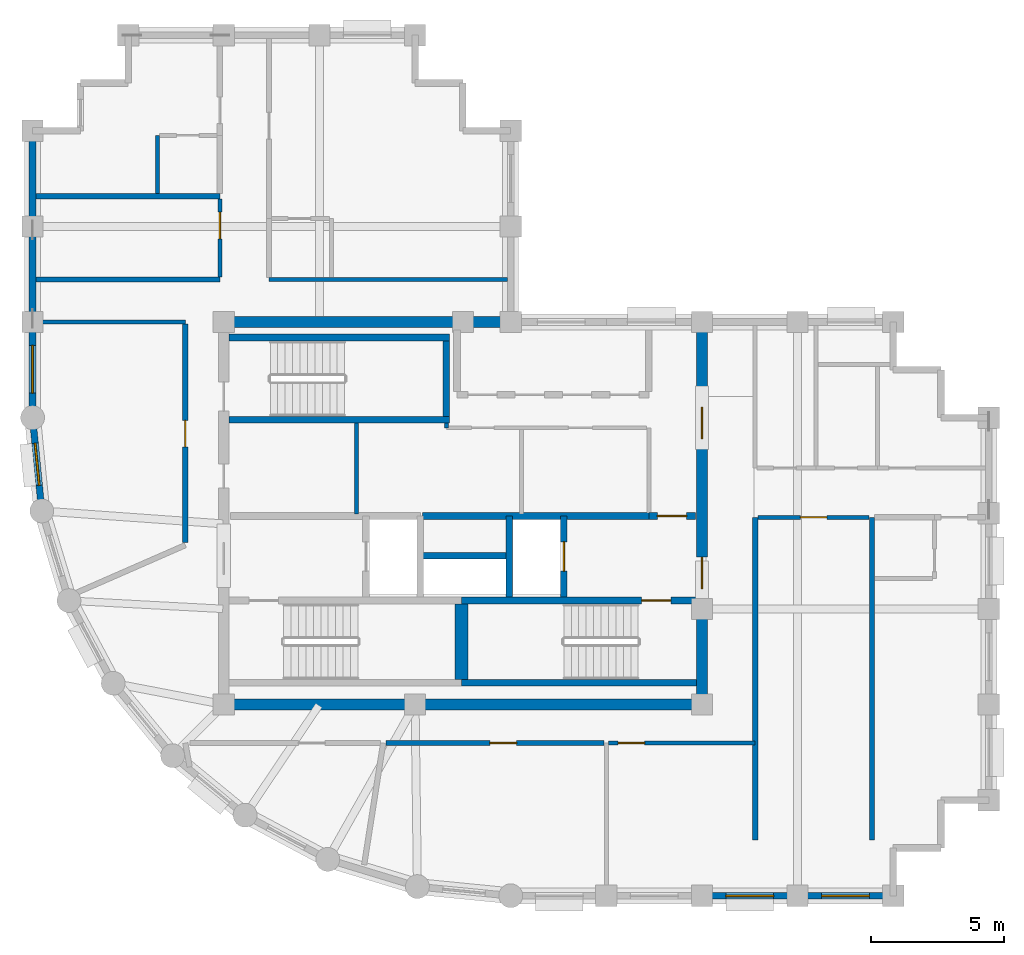
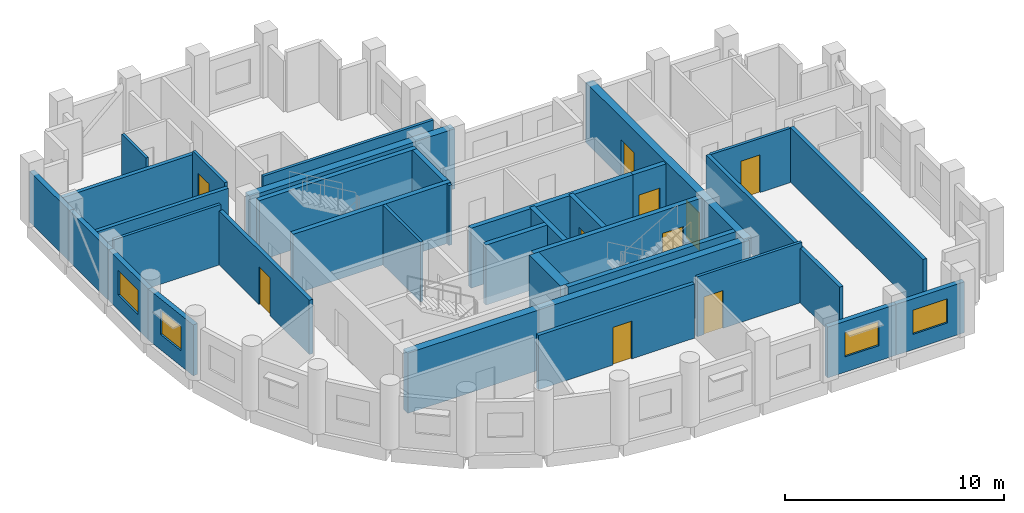
# One storey, part 3 of 7: 34 walls, 10 doors, 4 windows, 14 openings.
"""IFC4 building model written with IfcOpenShell, lengths in metres."""

from ifc_helpers import new_model, si_unit, direction, frame, frame_2d, origin, place, context, subcontext, project, spatial, rectangle, extrude, material, layer, layer_set, type_object, element, fill, save


model = new_model("IFC4")

# Units and contexts
model_context = context("Model", 3, precision=1e-05, world=origin(), true_north=direction((0.0, 1.0)))
body_context = subcontext(model_context, "Body", "Model", "MODEL_VIEW")
ifc_project = project(units=[si_unit("LENGTHUNIT", "METRE"), si_unit("AREAUNIT", "SQUARE_METRE"), si_unit("VOLUMEUNIT", "CUBIC_METRE"), si_unit("PLANEANGLEUNIT", "RADIAN"), si_unit("MASSUNIT", "GRAM", prefix="KILO")], contexts=[model_context])

# Site, building, storey
site_placement = place(None, origin())
site = spatial("IfcSite", under=ifc_project, at=site_placement, CompositionType="ELEMENT")
building_placement = place(site_placement, origin())
building = spatial("IfcBuilding", under=site, at=building_placement, Name="Solnavia Interchange Tower", CompositionType="ELEMENT")
storey_placement = place(building_placement, frame((0.0, 0.0, 235.39990234375)))
storey = spatial("IfcBuildingStorey", under=building, at=storey_placement, Name="L59", CompositionType="ELEMENT", Elevation=235.39990234375)

# Wall, opening, door
ifc_material_1 = material(Name="Gypsum Acoustic Twin-Stud & Mineral Wool", Category="gypsum")
ifc_layer_1 = layer(ifc_material_1, 0.199951171875)
ifc_layer_set_1 = layer_set([ifc_layer_1], Name="Gypsum Acoustic Twin-Stud & Mineral Wool")
wall_type_1 = type_object("IfcWallType", Name="Wall-ApartmentParty-200", PredefinedType="PARTITIONING", material=ifc_layer_set_1)
wall_1_placement = place(storey_placement, frame((12.949951171875, 16.904052734375, 0.0), z_axis=(0.0, 0.0, 1.0), x_axis=(0.0, 1.0, 0.0)))
wall_1 = element("IfcWall", 1, at=wall_1_placement, inside=storey, type_object=wall_type_1, Name="PTW-L59-12 Interior partition wall", PredefinedType="PARTITIONING", context=body_context, shape_type="SweptSolid", body=[
    extrude(rectangle(XDim=8.217041015625, YDim=0.199951171875, at=frame_2d((4.1083984375, 0.0))), origin(), (0.0, 0.0, 1.0), 3.02001953125),
])
opening_1_placement = place(wall_1_placement, frame((3.595947265625, 0.0, 0.0)))
opening_1 = element("IfcOpeningElement", 2, at=opening_1_placement, cuts=wall_1, Name="Opening DR-07", PredefinedType="OPENING", context=body_context, shape_type="SweptSolid", body=[
    extrude(rectangle(XDim=1.0, YDim=2.10009765625, at=frame_2d((0.5, 1.050048828125))), frame((0.0, 0.10986328125, 0.0), z_axis=(0.0, -1.0, 0.0), x_axis=(1.0, 0.0, 0.0)), (0.0, 0.0, 1.0), 0.219970703125),
])
ifc_material_2 = material(Name="Timber & Acoustic Glazed Office Door", Category="wood")
door_type_1 = type_object("IfcDoorType", Name="Door-Office-1000x2100", OperationType="SINGLE_SWING_RIGHT", PredefinedType="DOOR", material=ifc_material_2)
door_1_placement = place(opening_1_placement, origin())
door_1 = element("IfcDoor", 3, at=door_1_placement, inside=storey, type_object=door_type_1, Name="DR-L59-03 Interior room door", OperationType="SINGLE_SWING_LEFT", OverallHeight=2.10009765625, OverallWidth=1.0, PredefinedType="DOOR", context=body_context, shape_type="SweptSolid", body=[
    extrude(rectangle(XDim=1.0, YDim=2.10009765625, at=frame_2d((0.5, 1.050048828125))), frame((0.0, 0.02490234375, 0.0), z_axis=(0.0, -1.0, 0.0), x_axis=(1.0, 0.0, 0.0)), (0.0, 0.0, 1.0), 0.050048828125),
])
fill(opening_1, door_1)

wall_2_placement = place(storey_placement, frame((20.50390625, 9.35009765625, 0.0), z_axis=(0.0, 0.0, 1.0), x_axis=(1.0, 0.0, 0.0)))
wall_2 = element("IfcWall", 4, at=wall_2_placement, inside=storey, type_object=wall_type_1, Name="PTW-L59-15 Interior partition wall", PredefinedType="PARTITIONING", context=body_context, shape_type="SweptSolid", body=[
    extrude(rectangle(XDim=8.217041015625, YDim=0.199951171875, at=frame_2d((4.1083984375, 0.0))), origin(), (0.0, 0.0, 1.0), 3.02001953125),
])
opening_2_placement = place(wall_2_placement, frame((3.9140625, 0.0, 0.0)))
opening_2 = element("IfcOpeningElement", 5, at=opening_2_placement, cuts=wall_2, Name="Opening DR-07", PredefinedType="OPENING", context=body_context, shape_type="SweptSolid", body=[
    extrude(rectangle(XDim=1.0, YDim=2.10009765625, at=frame_2d((0.5, 1.050048828125))), frame((0.0, 0.10986328125, 0.0), z_axis=(0.0, -1.0, 0.0), x_axis=(1.0, 0.0, 0.0)), (0.0, 0.0, 1.0), 0.219970703125),
])
door_2_placement = place(opening_2_placement, origin())
door_2 = element("IfcDoor", 6, at=door_2_placement, inside=storey, type_object=door_type_1, Name="DR-L59-06 Interior room door", OperationType="SINGLE_SWING_RIGHT", OverallHeight=2.10009765625, OverallWidth=1.0, PredefinedType="DOOR", context=body_context, shape_type="SweptSolid", body=[
    extrude(rectangle(XDim=1.0, YDim=2.10009765625, at=frame_2d((0.5, 1.050048828125))), frame((0.0, 0.02490234375, 0.0), z_axis=(0.0, -1.0, 0.0), x_axis=(1.0, 0.0, 0.0)), (0.0, 0.0, 1.0), 0.050048828125),
])
fill(opening_2, door_2)

# Walls
for number, where, z_axis, x_axis, name in (
    (7, (34.39990234375, 5.699951171875, 0.0), (0.0, 0.0, 1.0), (0.0, 1.0, 0.0), "PTW-L59-17 Interior partition wall"),
    (8, (38.800048828125, 5.699951171875, 0.0), (0.0, 0.0, 1.0), (0.0, 1.0, 0.0), "PTW-L59-18 Interior partition wall"),
):
    element("IfcWall", number, at=place(storey_placement, frame(where, z_axis=z_axis, x_axis=x_axis)), inside=storey, type_object=wall_type_1, Name=name, PredefinedType="PARTITIONING", context=body_context, shape_type="SweptSolid", body=[
        extrude(rectangle(XDim=12.150146484375, YDim=0.199951171875, at=frame_2d((6.0751953125, 0.0))), origin(), (0.0, 0.0, 1.0), 3.030029296875),
    ])
for number, where, z_axis, x_axis, name in (
    (9, (7.3291015625, 26.800048828125, 0.0), (0.0, 0.0, 1.0), (1.0, 0.0, 0.0), "PTW-L59-25 Interior partition wall"),
    (10, (7.3291015625, 29.929931640625, 0.0), (0.0, 0.0, 1.0), (1.0, 0.0, 0.0), "PTW-L59-26 Interior partition wall"),
):
    element("IfcWall", number, at=place(storey_placement, frame(where, z_axis=z_axis, x_axis=x_axis)), inside=storey, type_object=wall_type_1, Name=name, PredefinedType="PARTITIONING", context=body_context, shape_type="SweptSolid", body=[
        extrude(rectangle(XDim=6.9208984375, YDim=0.199951171875, at=frame_2d((3.46044921875, 0.0))), origin(), (0.0, 0.0, 1.0), 2.830078125),
    ])

# Wall, opening, window
ifc_material_3 = material(Name="Concrete C40/50", Category="concrete")
ifc_layer_2 = layer(ifc_material_3, 0.25)
ifc_layer_set_2 = layer_set([ifc_layer_2], Name="Concrete C40/50")
wall_type_2 = type_object("IfcWallType", Name="Wall-ExtSpandrel-250", PredefinedType="STANDARD", material=ifc_layer_set_2)
wall_3_placement = place(storey_placement, frame((36.0, 3.60009765625, 0.0), z_axis=(0.0, 0.0, 1.0), x_axis=(-1.0, 0.0, 0.0)))
wall_3 = element("IfcWall", 11, at=wall_3_placement, inside=storey, type_object=wall_type_2, Name="EXW-L59-03 Exterior precast spandrel wall", PredefinedType="STANDARD", context=body_context, shape_type="SweptSolid", body=[
    extrude(rectangle(XDim=3.60009765625, YDim=0.25, at=frame_2d((1.800048828125, 0.0))), origin(), (0.0, 0.0, 1.0), 2.830078125),
])
opening_3_placement = place(wall_3_placement, frame((0.89990234375, 0.0, 0.85009765625)))
opening_3 = element("IfcOpeningElement", 12, at=opening_3_placement, cuts=wall_3, Name="Opening WIN-02", PredefinedType="OPENING", context=body_context, shape_type="SweptSolid", body=[
    extrude(rectangle(XDim=1.800048828125, YDim=1.35009765625, at=frame_2d((0.89990234375, 0.675048828125))), frame((0.0, 0.135009765625, 0.0), z_axis=(0.0, -1.0, 0.0), x_axis=(1.0, 0.0, 0.0)), (0.0, 0.0, 1.0), 0.27001953125),
])
ifc_material_4 = material(Name="Thermal-Break Aluminium & Low-E Glass", Category="aluminium")
window_type_1 = type_object("IfcWindowType", Name="Window-Ribbon-1800x1350", PartitioningType="SINGLE_PANEL", PredefinedType="WINDOW", material=ifc_material_4)
window_1_placement = place(opening_3_placement, origin())
window_1 = element("IfcWindow", 13, at=window_1_placement, inside=storey, type_object=window_type_1, Name="WIN-L59-03 Facade ribbon window", OverallHeight=1.35009765625, OverallWidth=1.800048828125, PartitioningType="SINGLE_PANEL", PredefinedType="WINDOW", context=body_context, shape_type="SweptSolid", body=[
    extrude(rectangle(XDim=1.800048828125, YDim=1.35009765625, at=frame_2d((0.89990234375, 0.675048828125))), frame((0.0, 0.030029296875, 0.0), z_axis=(0.0, -1.0, 0.0), x_axis=(1.0, 0.0, 0.0)), (0.0, 0.0, 1.0), 0.06005859375),
])
fill(opening_3, window_1)

wall_4_placement = place(storey_placement, frame((39.60009765625, 3.60009765625, 0.0), z_axis=(0.0, 0.0, 1.0), x_axis=(-1.0, 0.0, 0.0)))
wall_4 = element("IfcWall", 14, at=wall_4_placement, inside=storey, type_object=wall_type_2, Name="EXW-L59-04 Exterior precast spandrel wall", PredefinedType="STANDARD", context=body_context, shape_type="SweptSolid", body=[
    extrude(rectangle(XDim=3.60009765625, YDim=0.25, at=frame_2d((1.800048828125, 0.0))), origin(), (0.0, 0.0, 1.0), 2.830078125),
])
opening_4_placement = place(wall_4_placement, frame((0.89990234375, 0.0, 0.85009765625)))
opening_4 = element("IfcOpeningElement", 15, at=opening_4_placement, cuts=wall_4, Name="Opening WIN-02", PredefinedType="OPENING", context=body_context, shape_type="SweptSolid", body=[
    extrude(rectangle(XDim=1.800048828125, YDim=1.35009765625, at=frame_2d((0.89990234375, 0.675048828125))), frame((0.0, 0.135009765625, 0.0), z_axis=(0.0, -1.0, 0.0), x_axis=(1.0, 0.0, 0.0)), (0.0, 0.0, 1.0), 0.27001953125),
])
window_2_placement = place(opening_4_placement, origin())
window_2 = element("IfcWindow", 16, at=window_2_placement, inside=storey, type_object=window_type_1, Name="WIN-L59-04 Facade ribbon window", OverallHeight=1.35009765625, OverallWidth=1.800048828125, PartitioningType="SINGLE_PANEL", PredefinedType="WINDOW", context=body_context, shape_type="SweptSolid", body=[
    extrude(rectangle(XDim=1.800048828125, YDim=1.35009765625, at=frame_2d((0.89990234375, 0.675048828125))), frame((0.0, 0.030029296875, 0.0), z_axis=(0.0, -1.0, 0.0), x_axis=(1.0, 0.0, 0.0)), (0.0, 0.0, 1.0), 0.06005859375),
])
fill(opening_4, window_2)

# Walls
wall_5_placement = place(storey_placement, frame((7.199951171875, 28.800048828125, 0.0), z_axis=(0.0, 0.0, 1.0), x_axis=(0.0, 1.0, 0.0)))
element("IfcWall", 17, at=wall_5_placement, inside=storey, type_object=wall_type_2, Name="EXW-L59-34 Exterior precast spandrel wall", PredefinedType="STANDARD", context=body_context, shape_type="SweptSolid", body=[
    extrude(rectangle(XDim=3.599853515625, YDim=0.25, at=frame_2d((1.7998046875, 0.0))), origin(), (0.0, 0.0, 1.0), 2.830078125),
])
wall_6_placement = place(storey_placement, frame((7.199951171875, 25.199951171875, 0.0), z_axis=(0.0, 0.0, 1.0), x_axis=(0.0, 1.0, 0.0)))
element("IfcWall", 18, at=wall_6_placement, inside=storey, type_object=wall_type_2, Name="EXW-L59-35 Exterior precast spandrel wall", PredefinedType="STANDARD", context=body_context, shape_type="SweptSolid", body=[
    extrude(rectangle(XDim=3.60009765625, YDim=0.25, at=frame_2d((1.800048828125, 0.0))), origin(), (0.0, 0.0, 1.0), 2.830078125),
])

# Wall, opening, window
wall_7_placement = place(storey_placement, frame((7.199951171875, 21.60009765625, 0.0), z_axis=(0.0, 0.0, 1.0), x_axis=(0.0, 1.0, 0.0)))
wall_7 = element("IfcWall", 19, at=wall_7_placement, inside=storey, type_object=wall_type_2, Name="EXW-L59-36 Exterior precast spandrel wall", PredefinedType="STANDARD", context=body_context, shape_type="SweptSolid", body=[
    extrude(rectangle(XDim=3.599853515625, YDim=0.25, at=frame_2d((1.7998046875, 0.0))), origin(), (0.0, 0.0, 1.0), 2.830078125),
])
opening_5_placement = place(wall_7_placement, frame((0.925048828125, 0.0, 0.85009765625)))
opening_5 = element("IfcOpeningElement", 20, at=opening_5_placement, cuts=wall_7, Name="Opening WIN-02", PredefinedType="OPENING", context=body_context, shape_type="SweptSolid", body=[
    extrude(rectangle(XDim=1.800048828125, YDim=1.35009765625, at=frame_2d((0.89990234375, 0.675048828125))), frame((0.0, 0.135009765625, 0.0), z_axis=(0.0, -1.0, 0.0), x_axis=(1.0, 0.0, 0.0)), (0.0, 0.0, 1.0), 0.27001953125),
])
window_3_placement = place(opening_5_placement, origin())
window_3 = element("IfcWindow", 21, at=window_3_placement, inside=storey, type_object=window_type_1, Name="WIN-L59-36 Facade ribbon window", OverallHeight=1.35009765625, OverallWidth=1.800048828125, PartitioningType="SINGLE_PANEL", PredefinedType="WINDOW", context=body_context, shape_type="SweptSolid", body=[
    extrude(rectangle(XDim=1.800048828125, YDim=1.35009765625, at=frame_2d((0.89990234375, 0.675048828125))), frame((0.0, 0.030029296875, 0.0), z_axis=(0.0, -1.0, 0.0), x_axis=(1.0, 0.0, 0.0)), (0.0, 0.0, 1.0), 0.06005859375),
])
fill(opening_5, window_3)

wall_8_placement = place(storey_placement, frame((7.5458984375, 18.087890625, 0.0), z_axis=(0.0, 0.0, 1.0), x_axis=(-0.09802417461, 0.995184033831, 0.0)))
wall_8 = element("IfcWall", 22, at=wall_8_placement, inside=storey, type_object=wall_type_2, Name="EXW-L59-37 Exterior precast spandrel wall", PredefinedType="STANDARD", context=body_context, shape_type="SweptSolid", body=[
    extrude(rectangle(XDim=3.529296875, YDim=0.25, at=frame_2d((1.7646484375, 0.0))), origin(), (0.0, 0.0, 1.0), 2.830078125),
])
opening_6_placement = place(wall_8_placement, frame((0.965087890625, 0.0, 0.85009765625)))
opening_6 = element("IfcOpeningElement", 23, at=opening_6_placement, cuts=wall_8, Name="Opening WIN-04", PredefinedType="OPENING", context=body_context, shape_type="SweptSolid", body=[
    extrude(rectangle(XDim=1.60009765625, YDim=1.35009765625, at=frame_2d((0.800048828125, 0.675048828125))), frame((0.0, 0.135009765625, 0.0), z_axis=(0.0, -1.0, 0.0), x_axis=(1.0, 0.0, 0.0)), (0.0, 0.0, 1.0), 0.27001953125),
])
window_type_2 = type_object("IfcWindowType", Name="Window-Drum-1600x1350", PartitioningType="SINGLE_PANEL", PredefinedType="WINDOW", material=ifc_material_4)
window_4_placement = place(opening_6_placement, origin())
window_4 = element("IfcWindow", 24, at=window_4_placement, inside=storey, type_object=window_type_2, Name="WIN-L59-37 Facade ribbon window", OverallHeight=1.35009765625, OverallWidth=1.60009765625, PartitioningType="SINGLE_PANEL", PredefinedType="WINDOW", context=body_context, shape_type="SweptSolid", body=[
    extrude(rectangle(XDim=1.60009765625, YDim=1.35009765625, at=frame_2d((0.800048828125, 0.675048828125))), frame((0.0, 0.030029296875, 0.0), z_axis=(0.0, -1.0, 0.0), x_axis=(1.0, 0.0, 0.0)), (0.0, 0.0, 1.0), 0.06005859375),
])
fill(opening_6, window_4)

# Walls
ifc_material_5 = material(Name="Gypsum Plasterboard & Steel Stud", Category="steel")
ifc_layer_3 = layer(ifc_material_5, 0.14990234375)
ifc_layer_set_3 = layer_set([ifc_layer_3], Name="Gypsum Plasterboard & Steel Stud")
wall_type_3 = type_object("IfcWallType", Name="Wall-Partition-150", PredefinedType="PARTITIONING", material=ifc_layer_set_3)
wall_9_placement = place(storey_placement, frame((22.77490234375, 21.219970703125, 0.0), z_axis=(0.0, 0.0, 1.0), x_axis=(0.0, 1.0, 0.0)))
element("IfcWall", 25, at=wall_9_placement, inside=storey, type_object=wall_type_3, Name="CSW-L59-ST-TIE Core shaft wall", PredefinedType="PARTITIONING", context=body_context, shape_type="SweptSolid", body=[
    extrude(rectangle(XDim=0.175048828125, YDim=0.14990234375, at=frame_2d((0.08740234375, 0.0))), origin(), (0.0, 0.0, 1.0), 3.335205078125),
])
wall_10_placement = place(storey_placement, frame((19.39990234375, 17.97998046875, 0.0), z_axis=(0.0, 0.0, 1.0), x_axis=(0.0, 1.0, 0.0)))
element("IfcWall", 26, at=wall_10_placement, inside=storey, type_object=wall_type_3, Name="CSW-L59-M1 Core shaft wall", PredefinedType="PARTITIONING", context=body_context, shape_type="SweptSolid", body=[
    extrude(rectangle(XDim=3.419921875, YDim=0.14990234375, at=frame_2d((1.7099609375, 0.0))), origin(), (0.0, 0.0, 1.0), 3.335205078125),
])
wall_11_placement = place(storey_placement, frame((7.3291015625, 25.199951171875, 0.0), z_axis=(0.0, 0.0, 1.0), x_axis=(1.0, 0.0, 0.0)))
element("IfcWall", 27, at=wall_11_placement, inside=storey, type_object=wall_type_3, Name="PTW-L59-07 Interior partition wall", PredefinedType="PARTITIONING", context=body_context, shape_type="SweptSolid", body=[
    extrude(rectangle(XDim=5.620849609375, YDim=0.14990234375, at=frame_2d((2.810546875, 0.0))), origin(), (0.0, 0.0, 1.0), 3.335205078125),
])

# Wall, opening, door
wall_12_placement = place(storey_placement, frame((28.87890625, 9.35009765625, 0.0), z_axis=(0.0, 0.0, 1.0), x_axis=(1.0, 0.0, 0.0)))
wall_12 = element("IfcWall", 28, at=wall_12_placement, inside=storey, type_object=wall_type_3, Name="PTW-L59-16 Interior partition wall", PredefinedType="PARTITIONING", context=body_context, shape_type="SweptSolid", body=[
    extrude(rectangle(XDim=5.52099609375, YDim=0.14990234375, at=frame_2d((2.760498046875, 0.0))), origin(), (0.0, 0.0, 1.0), 3.335205078125),
])
opening_7_placement = place(wall_12_placement, frame((0.360107421875, 0.0, 0.0)))
opening_7 = element("IfcOpeningElement", 29, at=opening_7_placement, cuts=wall_12, Name="Opening DR-07", PredefinedType="OPENING", context=body_context, shape_type="SweptSolid", body=[
    extrude(rectangle(XDim=1.0, YDim=2.10009765625, at=frame_2d((0.5, 1.050048828125))), frame((0.0, 0.0849609375, 0.0), z_axis=(0.0, -1.0, 0.0), x_axis=(1.0, 0.0, 0.0)), (0.0, 0.0, 1.0), 0.169921875),
])
door_3_placement = place(opening_7_placement, origin())
door_3 = element("IfcDoor", 30, at=door_3_placement, inside=storey, type_object=door_type_1, Name="DR-L59-07 Interior room door", OperationType="SINGLE_SWING_LEFT", OverallHeight=2.10009765625, OverallWidth=1.0, PredefinedType="DOOR", context=body_context, shape_type="SweptSolid", body=[
    extrude(rectangle(XDim=1.0, YDim=2.10009765625, at=frame_2d((0.5, 1.050048828125))), frame((0.0, 0.02490234375, 0.0), z_axis=(0.0, -1.0, 0.0), x_axis=(1.0, 0.0, 0.0)), (0.0, 0.0, 1.0), 0.050048828125),
])
fill(opening_7, door_3)

wall_13_placement = place(storey_placement, frame((34.50390625, 17.85009765625, 0.0), z_axis=(0.0, 0.0, 1.0), x_axis=(1.0, 0.0, 0.0)))
wall_13 = element("IfcWall", 31, at=wall_13_placement, inside=storey, type_object=wall_type_3, Name="PTW-L59-19 Interior partition wall", PredefinedType="PARTITIONING", context=body_context, shape_type="SweptSolid", body=[
    extrude(rectangle(XDim=4.192138671875, YDim=0.14990234375, at=frame_2d((2.09619140625, 0.0))), origin(), (0.0, 0.0, 1.0), 3.02001953125),
])
opening_8_placement = place(wall_13_placement, frame((1.595947265625, 0.0, 0.0)))
opening_8 = element("IfcOpeningElement", 32, at=opening_8_placement, cuts=wall_13, Name="Opening DR-07", PredefinedType="OPENING", context=body_context, shape_type="SweptSolid", body=[
    extrude(rectangle(XDim=1.0, YDim=2.10009765625, at=frame_2d((0.5, 1.050048828125))), frame((0.0, 0.0849609375, 0.0), z_axis=(0.0, -1.0, 0.0), x_axis=(1.0, 0.0, 0.0)), (0.0, 0.0, 1.0), 0.169921875),
])
door_4_placement = place(opening_8_placement, origin())
door_4 = element("IfcDoor", 33, at=door_4_placement, inside=storey, type_object=door_type_1, Name="DR-L59-08 Interior room door", OperationType="SINGLE_SWING_LEFT", OverallHeight=2.10009765625, OverallWidth=1.0, PredefinedType="DOOR", context=body_context, shape_type="SweptSolid", body=[
    extrude(rectangle(XDim=1.0, YDim=2.10009765625, at=frame_2d((0.5, 1.050048828125))), frame((0.0, 0.02490234375, 0.0), z_axis=(0.0, -1.0, 0.0), x_axis=(1.0, 0.0, 0.0)), (0.0, 0.0, 1.0), 0.050048828125),
])
fill(opening_8, door_4)

wall_14_placement = place(storey_placement, frame((14.25, 26.904052734375, 0.0), z_axis=(0.0, 0.0, 1.0), x_axis=(0.0, 1.0, 0.0)))
wall_14 = element("IfcWall", 34, at=wall_14_placement, inside=storey, type_object=wall_type_3, Name="PTW-L59-27 Interior partition wall", PredefinedType="PARTITIONING", context=body_context, shape_type="SweptSolid", body=[
    extrude(rectangle(XDim=2.921875, YDim=0.14990234375, at=frame_2d((1.4609375, 0.0))), origin(), (0.0, 0.0, 1.0), 3.030029296875),
])
opening_9_placement = place(wall_14_placement, frame((1.430908203125, 0.0, 0.0)))
opening_9 = element("IfcOpeningElement", 35, at=opening_9_placement, cuts=wall_14, Name="Opening DR-07", PredefinedType="OPENING", context=body_context, shape_type="SweptSolid", body=[
    extrude(rectangle(XDim=1.0, YDim=2.10009765625, at=frame_2d((0.5, 1.050048828125))), frame((0.0, 0.0849609375, 0.0), z_axis=(0.0, -1.0, 0.0), x_axis=(1.0, 0.0, 0.0)), (0.0, 0.0, 1.0), 0.169921875),
])
door_5_placement = place(opening_9_placement, origin())
door_5 = element("IfcDoor", 36, at=door_5_placement, inside=storey, type_object=door_type_1, Name="DR-L59-12 Interior room door", OperationType="SINGLE_SWING_RIGHT", OverallHeight=2.10009765625, OverallWidth=1.0, PredefinedType="DOOR", context=body_context, shape_type="SweptSolid", body=[
    extrude(rectangle(XDim=1.0, YDim=2.10009765625, at=frame_2d((0.5, 1.050048828125))), frame((0.0, 0.02490234375, 0.0), z_axis=(0.0, -1.0, 0.0), x_axis=(1.0, 0.0, 0.0)), (0.0, 0.0, 1.0), 0.050048828125),
])
fill(opening_9, door_5)

# Walls
wall_15_placement = place(storey_placement, frame((16.10009765625, 26.800048828125, 0.0), z_axis=(0.0, 0.0, 1.0), x_axis=(1.0, 0.0, 0.0)))
element("IfcWall", 37, at=wall_15_placement, inside=storey, type_object=wall_type_3, Name="PTW-L59-32 Interior partition wall", PredefinedType="PARTITIONING", context=body_context, shape_type="SweptSolid", body=[
    extrude(rectangle(XDim=8.970947265625, YDim=0.14990234375, at=frame_2d((4.4853515625, 0.0))), origin(), (0.0, 0.0, 1.0), 2.830078125),
])
ifc_layer_4 = layer(ifc_material_3, 0.25)
ifc_layer_set_4 = layer_set([ifc_layer_4], Name="Concrete C40/50")
wall_type_4 = type_object("IfcWallType", Name="Wall-ShaftCore-250", PredefinedType="SHEAR", material=ifc_layer_set_4)
wall_16_placement = place(storey_placement, frame((23.35009765625, 11.625, 0.0), z_axis=(0.0, 0.0, 1.0), x_axis=(1.0, 0.0, 0.0)))
element("IfcWall", 38, at=wall_16_placement, inside=storey, type_object=wall_type_4, Name="SHW-L59-ST2S Core shear wall", PredefinedType="SHEAR", context=body_context, shape_type="SweptSolid", body=[
    extrude(rectangle(XDim=8.849853515625, YDim=0.25, at=frame_2d((4.4248046875, 0.0))), origin(), (0.0, 0.0, 1.0), 3.35009765625),
])

# Wall, opening, door
wall_17_placement = place(storey_placement, frame((23.35009765625, 14.715087890625, 0.0), z_axis=(0.0, 0.0, 1.0), x_axis=(1.0, 0.0, 0.0)))
wall_17 = element("IfcWall", 39, at=wall_17_placement, inside=storey, type_object=wall_type_4, Name="SHW-L59-ST2N Core shear wall", PredefinedType="SHEAR", context=body_context, shape_type="SweptSolid", body=[
    extrude(rectangle(XDim=8.849853515625, YDim=0.25, at=frame_2d((4.4248046875, 0.0))), origin(), (0.0, 0.0, 1.0), 3.35009765625),
])
opening_10_placement = place(wall_17_placement, frame((6.77490234375, 0.0, 0.0)))
opening_10 = element("IfcOpeningElement", 40, at=opening_10_placement, cuts=wall_17, Name="Opening DR-01", PredefinedType="OPENING", context=body_context, shape_type="SweptSolid", body=[
    extrude(rectangle(XDim=1.10009765625, YDim=2.10009765625, at=frame_2d((0.550048828125, 1.050048828125))), frame((0.0, 0.135009765625, 0.0), z_axis=(0.0, -1.0, 0.0), x_axis=(1.0, 0.0, 0.0)), (0.0, 0.0, 1.0), 0.27001953125),
])
ifc_material_6 = material(Name="Steel Fire-Rated Leaf & Frame", Category="steel")
door_type_2 = type_object("IfcDoorType", Name="Door-StairFire-1100x2100", OperationType="SINGLE_SWING_LEFT", PredefinedType="DOOR", material=ifc_material_6)
door_6_placement = place(opening_10_placement, origin())
door_6 = element("IfcDoor", 41, at=door_6_placement, inside=storey, type_object=door_type_2, Name="DR-L59-ST2 Core fire door", OperationType="SINGLE_SWING_LEFT", OverallHeight=2.10009765625, OverallWidth=1.10009765625, PredefinedType="DOOR", context=body_context, shape_type="SweptSolid", body=[
    extrude(rectangle(XDim=1.10009765625, YDim=2.10009765625, at=frame_2d((0.550048828125, 1.050048828125))), frame((0.0, 0.02490234375, 0.0), z_axis=(0.0, -1.0, 0.0), x_axis=(1.0, 0.0, 0.0)), (0.0, 0.0, 1.0), 0.050048828125),
])
fill(opening_10, door_6)

# Walls
for number, where, z_axis, x_axis, name in (
    (42, (14.60009765625, 21.52490234375, 0.0), (0.0, 0.0, 1.0), (1.0, 0.0, 0.0), "SHW-L59-ST3S Core shear wall"),
    (43, (14.60009765625, 24.614990234375, 0.0), (0.0, 0.0, 1.0), (1.0, 0.0, 0.0), "SHW-L59-ST3N Core shear wall"),
):
    element("IfcWall", number, at=place(storey_placement, frame(where, z_axis=z_axis, x_axis=x_axis)), inside=storey, type_object=wall_type_4, Name=name, PredefinedType="SHEAR", context=body_context, shape_type="SweptSolid", body=[
        extrude(rectangle(XDim=8.2998046875, YDim=0.25, at=frame_2d((4.14990234375, 0.0))), origin(), (0.0, 0.0, 1.0), 3.35009765625),
    ])
wall_18_placement = place(storey_placement, frame((22.77490234375, 21.64990234375, 0.0), z_axis=(0.0, 0.0, 1.0), x_axis=(0.0, 1.0, 0.0)))
element("IfcWall", 44, at=wall_18_placement, inside=storey, type_object=wall_type_4, Name="SHW-L59-ST3E Core shear wall", PredefinedType="SHEAR", context=body_context, shape_type="SweptSolid", body=[
    extrude(rectangle(XDim=2.840087890625, YDim=0.25, at=frame_2d((1.419921875, 0.0))), origin(), (0.0, 0.0, 1.0), 3.35009765625),
])
ifc_layer_5 = layer(ifc_material_3, 0.25)
ifc_layer_set_5 = layer_set([ifc_layer_5], Name="Concrete C40/50")
wall_type_5 = type_object("IfcWallType", Name="Wall-ShaftPart-250", PredefinedType="PARTITIONING", material=ifc_layer_set_5)
wall_19_placement = place(storey_placement, frame((21.8798828125, 17.89990234375, 0.0), z_axis=(0.0, 0.0, 1.0), x_axis=(1.0, 0.0, 0.0)))
element("IfcWall", 45, at=wall_19_placement, inside=storey, type_object=wall_type_5, Name="SHW-L59-FFLE-N1 Core shaft wall", PredefinedType="PARTITIONING", context=body_context, shape_type="SweptSolid", body=[
    extrude(rectangle(XDim=8.52001953125, YDim=0.25, at=frame_2d((4.260009765625, 0.0))), origin(), (0.0, 0.0, 1.0), 3.335205078125),
])

# Wall, opening, door
wall_20_placement = place(storey_placement, frame((30.39990234375, 17.89990234375, 0.0), z_axis=(0.0, 0.0, 1.0), x_axis=(1.0, 0.0, 0.0)))
wall_20 = element("IfcWall", 46, at=wall_20_placement, inside=storey, type_object=wall_type_5, Name="SHW-L59-FFLE-N2 Core shaft wall", PredefinedType="PARTITIONING", context=body_context, shape_type="SweptSolid", body=[
    extrude(rectangle(XDim=1.75, YDim=0.25, at=frame_2d((0.875, 0.0))), origin(), (0.0, 0.0, 1.0), 3.335205078125),
])
opening_11_placement = place(wall_20_placement, frame((0.320068359375, 0.0, 0.0)))
opening_11 = element("IfcOpeningElement", 47, at=opening_11_placement, cuts=wall_20, Name="Opening DR-01", PredefinedType="OPENING", context=body_context, shape_type="SweptSolid", body=[
    extrude(rectangle(XDim=1.10009765625, YDim=2.10009765625, at=frame_2d((0.550048828125, 1.050048828125))), frame((0.0, 0.135009765625, 0.0), z_axis=(0.0, -1.0, 0.0), x_axis=(1.0, 0.0, 0.0)), (0.0, 0.0, 1.0), 0.27001953125),
])
door_7_placement = place(opening_11_placement, origin())
door_7 = element("IfcDoor", 48, at=door_7_placement, inside=storey, type_object=door_type_2, Name="DR-L59-LLC Core fire door", OperationType="SINGLE_SWING_LEFT", OverallHeight=2.10009765625, OverallWidth=1.10009765625, PredefinedType="DOOR", context=body_context, shape_type="SweptSolid", body=[
    extrude(rectangle(XDim=1.10009765625, YDim=2.10009765625, at=frame_2d((0.550048828125, 1.050048828125))), frame((0.0, 0.02490234375, 0.0), z_axis=(0.0, -1.0, 0.0), x_axis=(1.0, 0.0, 0.0)), (0.0, 0.0, 1.0), 0.050048828125),
])
fill(opening_11, door_7)

# Wall
wall_21_placement = place(storey_placement, frame((25.14990234375, 14.840087890625, 0.0), z_axis=(0.0, 0.0, 1.0), x_axis=(0.0, 1.0, 0.0)))
element("IfcWall", 49, at=wall_21_placement, inside=storey, type_object=wall_type_5, Name="SHW-L59-FFL2-W Core shaft wall", PredefinedType="PARTITIONING", context=body_context, shape_type="SweptSolid", body=[
    extrude(rectangle(XDim=3.059814453125, YDim=0.25, at=frame_2d((1.52978515625, 0.0))), origin(), (0.0, 0.0, 1.0), 3.335205078125),
])

# Wall, opening, door
wall_22_placement = place(storey_placement, frame((27.199951171875, 14.840087890625, 0.0), z_axis=(0.0, 0.0, 1.0), x_axis=(0.0, 1.0, 0.0)))
wall_22 = element("IfcWall", 50, at=wall_22_placement, inside=storey, type_object=wall_type_5, Name="SHW-L59-FFL2-E Core shaft wall", PredefinedType="PARTITIONING", context=body_context, shape_type="SweptSolid", body=[
    extrude(rectangle(XDim=3.059814453125, YDim=0.25, at=frame_2d((1.52978515625, 0.0))), origin(), (0.0, 0.0, 1.0), 3.335205078125),
])
opening_12_placement = place(wall_22_placement, frame((0.97998046875, 0.0, 0.0)))
opening_12 = element("IfcOpeningElement", 51, at=opening_12_placement, cuts=wall_22, Name="Opening LD-01", PredefinedType="OPENING", context=body_context, shape_type="SweptSolid", body=[
    extrude(rectangle(XDim=1.10009765625, YDim=2.10009765625, at=frame_2d((0.550048828125, 1.050048828125))), frame((0.0, 0.135009765625, 0.0), z_axis=(0.0, -1.0, 0.0), x_axis=(1.0, 0.0, 0.0)), (0.0, 0.0, 1.0), 0.27001953125),
])
ifc_material_7 = material(Name="Brushed Stainless Steel Sliding Door", Category="steel")
door_type_3 = type_object("IfcDoorType", Name="Door-LiftLanding-1100x2100", OperationType="SLIDING_TO_LEFT", PredefinedType="DOOR", material=ifc_material_7)
door_8_placement = place(opening_12_placement, origin())
door_8 = element("IfcDoor", 52, at=door_8_placement, inside=storey, type_object=door_type_3, Name="LD-L59-FFL2 Lift landing sliding door", OperationType="SLIDING_TO_LEFT", OverallHeight=2.10009765625, OverallWidth=1.10009765625, PredefinedType="DOOR", context=body_context, shape_type="SweptSolid", body=[
    extrude(rectangle(XDim=1.10009765625, YDim=2.10009765625, at=frame_2d((0.550048828125, 1.050048828125))), frame((0.0, 0.02490234375, 0.0), z_axis=(0.0, -1.0, 0.0), x_axis=(1.0, 0.0, 0.0)), (0.0, 0.0, 1.0), 0.050048828125),
])
fill(opening_12, door_8)

# Walls
wall_23_placement = place(storey_placement, frame((21.800048828125, 16.39990234375, 0.0), z_axis=(0.0, 0.0, 1.0), x_axis=(1.0, 0.0, 0.0)))
element("IfcWall", 53, at=wall_23_placement, inside=storey, type_object=wall_type_5, Name="SHW-L59-MEP-N Core shaft wall", PredefinedType="PARTITIONING", context=body_context, shape_type="SweptSolid", body=[
    extrude(rectangle(XDim=3.349853515625, YDim=0.25, at=frame_2d((1.6748046875, 0.0))), origin(), (0.0, 0.0, 1.0), 3.335205078125),
])
ifc_material_8 = material(Name="Concrete C50/60", Category="concrete")
ifc_layer_6 = layer(ifc_material_8, 0.39990234375)
ifc_layer_set_6 = layer_set([ifc_layer_6], Name="Concrete C50/60")
wall_type_6 = type_object("IfcWallType", Name="Wall-ShearCore-400", PredefinedType="SHEAR", material=ifc_layer_set_6)
wall_24_placement = place(storey_placement, frame((14.39990234375, 10.800048828125, 0.0), z_axis=(0.0, 0.0, 1.0), x_axis=(1.0, 0.0, 0.0)))
element("IfcWall", 54, at=wall_24_placement, inside=storey, type_object=wall_type_6, Name="CRW-L59-S Core shear wall", PredefinedType="SHEAR", context=body_context, shape_type="SweptSolid", body=[
    extrude(rectangle(XDim=18.0, YDim=0.39990234375, at=frame_2d((9.0, 0.0))), origin(), (0.0, 0.0, 1.0), 3.35009765625),
])
wall_25_placement = place(storey_placement, frame((14.39990234375, 25.199951171875, 0.0), z_axis=(0.0, 0.0, 1.0), x_axis=(1.0, 0.0, 0.0)))
element("IfcWall", 55, at=wall_25_placement, inside=storey, type_object=wall_type_6, Name="CRW-L59-N Core shear wall", PredefinedType="SHEAR", context=body_context, shape_type="SweptSolid", body=[
    extrude(rectangle(XDim=10.800048828125, YDim=0.39990234375, at=frame_2d((5.39990234375, 0.0))), origin(), (0.0, 0.0, 1.0), 3.35009765625),
])

# Wall, openings, doors
wall_26_placement = place(storey_placement, frame((32.39990234375, 10.800048828125, 0.0), z_axis=(0.0, 0.0, 1.0), x_axis=(0.0, 1.0, 0.0)))
wall_26 = element("IfcWall", 56, at=wall_26_placement, inside=storey, type_object=wall_type_6, Name="CRW-L59-E Core shear wall", PredefinedType="SHEAR", context=body_context, shape_type="SweptSolid", body=[
    extrude(rectangle(XDim=14.39990234375, YDim=0.39990234375, at=frame_2d((7.199951171875, 0.0))), origin(), (0.0, 0.0, 1.0), 3.35009765625),
])
opening_13_placement = place(wall_26_placement, frame((4.35009765625, 0.0, 0.0)))
opening_13 = element("IfcOpeningElement", 57, at=opening_13_placement, cuts=wall_26, Name="Opening DR-02", PredefinedType="OPENING", context=body_context, shape_type="SweptSolid", body=[
    extrude(rectangle(XDim=1.199951171875, YDim=2.10009765625, at=frame_2d((0.60009765625, 1.050048828125))), frame((0.0, 0.2099609375, 0.0), z_axis=(0.0, -1.0, 0.0), x_axis=(1.0, 0.0, 0.0)), (0.0, 0.0, 1.0), 0.419921875),
])
opening_14_placement = place(wall_26_placement, frame((10.0, 0.0, 0.0)))
opening_14 = element("IfcOpeningElement", 58, at=opening_14_placement, cuts=wall_26, Name="Opening DR-02", PredefinedType="OPENING", context=body_context, shape_type="SweptSolid", body=[
    extrude(rectangle(XDim=1.199951171875, YDim=2.10009765625, at=frame_2d((0.60009765625, 1.050048828125))), frame((0.0, 0.2099609375, 0.0), z_axis=(0.0, -1.0, 0.0), x_axis=(1.0, 0.0, 0.0)), (0.0, 0.0, 1.0), 0.419921875),
])
ifc_material_9 = material(Name="Steel Fire-Rated Vision-Panel Door", Category="steel")
door_type_4 = type_object("IfcDoorType", Name="Door-LobbyFire-1200x2100", OperationType="SINGLE_SWING_RIGHT", PredefinedType="DOOR", material=ifc_material_9)
door_9_placement = place(opening_13_placement, origin())
door_9 = element("IfcDoor", 59, at=door_9_placement, inside=storey, type_object=door_type_4, Name="DR-L59-FFL2E Core fire door", OperationType="SINGLE_SWING_LEFT", OverallHeight=2.10009765625, OverallWidth=1.199951171875, PredefinedType="DOOR", context=body_context, shape_type="SweptSolid", body=[
    extrude(rectangle(XDim=1.199951171875, YDim=2.10009765625, at=frame_2d((0.60009765625, 1.050048828125))), frame((0.0, 0.02490234375, 0.0), z_axis=(0.0, -1.0, 0.0), x_axis=(1.0, 0.0, 0.0)), (0.0, 0.0, 1.0), 0.050048828125),
])
fill(opening_13, door_9)
door_10_placement = place(opening_14_placement, origin())
door_10 = element("IfcDoor", 60, at=door_10_placement, inside=storey, type_object=door_type_4, Name="DR-L59-LLE Core fire door", OperationType="SINGLE_SWING_RIGHT", OverallHeight=2.10009765625, OverallWidth=1.199951171875, PredefinedType="DOOR", context=body_context, shape_type="SweptSolid", body=[
    extrude(rectangle(XDim=1.199951171875, YDim=2.10009765625, at=frame_2d((0.60009765625, 1.050048828125))), frame((0.0, 0.02490234375, 0.0), z_axis=(0.0, -1.0, 0.0), x_axis=(1.0, 0.0, 0.0)), (0.0, 0.0, 1.0), 0.050048828125),
])
fill(opening_14, door_10)

# Walls
ifc_material_10 = material(Name="Concrete C60/75", Category="concrete")
ifc_layer_7 = layer(ifc_material_10, 0.5)
ifc_layer_set_7 = layer_set([ifc_layer_7], Name="Concrete C60/75")
wall_type_7 = type_object("IfcWallType", Name="Wall-ShearCore-500", PredefinedType="SHEAR", material=ifc_layer_set_7)
wall_27_placement = place(storey_placement, frame((23.35009765625, 11.75, 0.0), z_axis=(0.0, 0.0, 1.0), x_axis=(0.0, 1.0, 0.0)))
element("IfcWall", 61, at=wall_27_placement, inside=storey, type_object=wall_type_7, Name="SHW-L59-ST12M Core shear wall", PredefinedType="SHEAR", context=body_context, shape_type="SweptSolid", body=[
    extrude(rectangle(XDim=2.840087890625, YDim=0.5, at=frame_2d((1.419921875, 0.0))), origin(), (0.0, 0.0, 1.0), 3.35009765625),
])
ifc_material_11 = material(Name="Moisture-Resistant Gypsum & Steel Stud", Category="steel")
ifc_layer_8 = layer(ifc_material_11, 0.14990234375)
ifc_layer_set_8 = layer_set([ifc_layer_8], Name="Moisture-Resistant Gypsum & Steel Stud")
wall_type_8 = type_object("IfcWallType", Name="Wall-WetRoom-150", PredefinedType="PARTITIONING", material=ifc_layer_set_8)
wall_28_placement = place(storey_placement, frame((11.89990234375, 30.033935546875, 0.0), z_axis=(0.0, 0.0, 1.0), x_axis=(0.0, 1.0, 0.0)))
element("IfcWall", 62, at=wall_28_placement, inside=storey, type_object=wall_type_8, Name="PTW-L59-30 Interior partition wall", PredefinedType="PARTITIONING", context=body_context, shape_type="SweptSolid", body=[
    extrude(rectangle(XDim=2.196044921875, YDim=0.14990234375, at=frame_2d((1.09814453125, 0.0))), origin(), (0.0, 0.0, 1.0), 3.335205078125),
])

save(model, "model.ifc")
